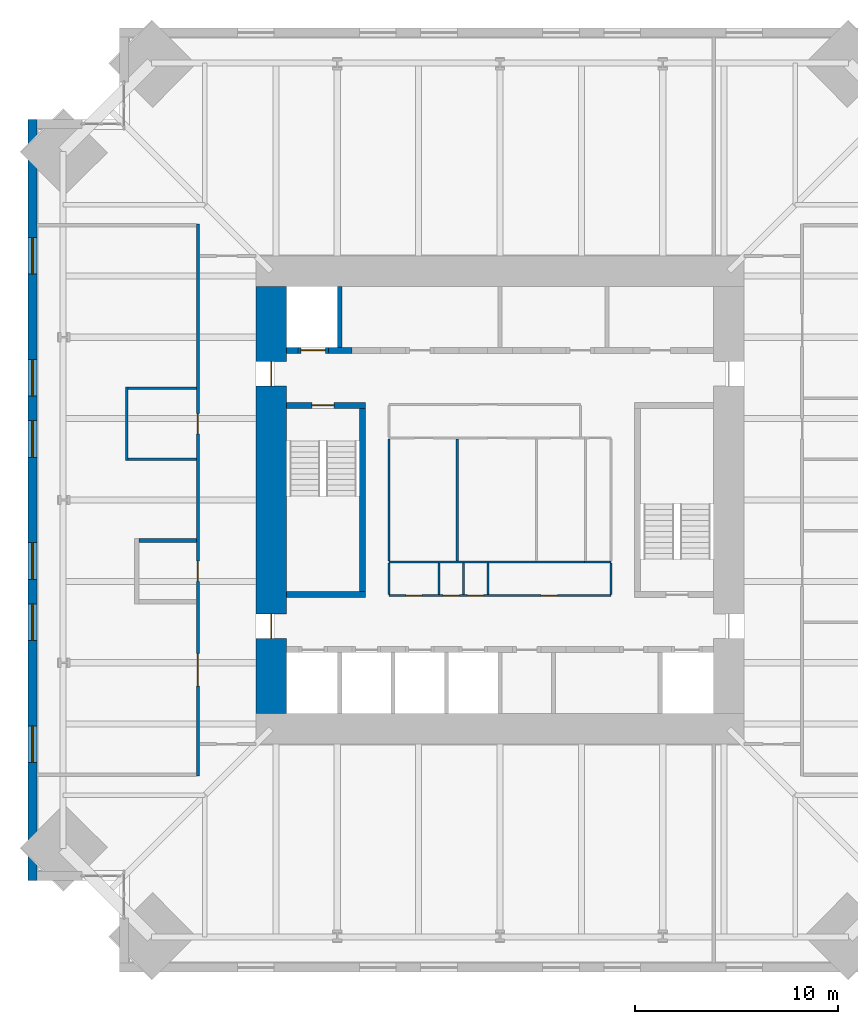
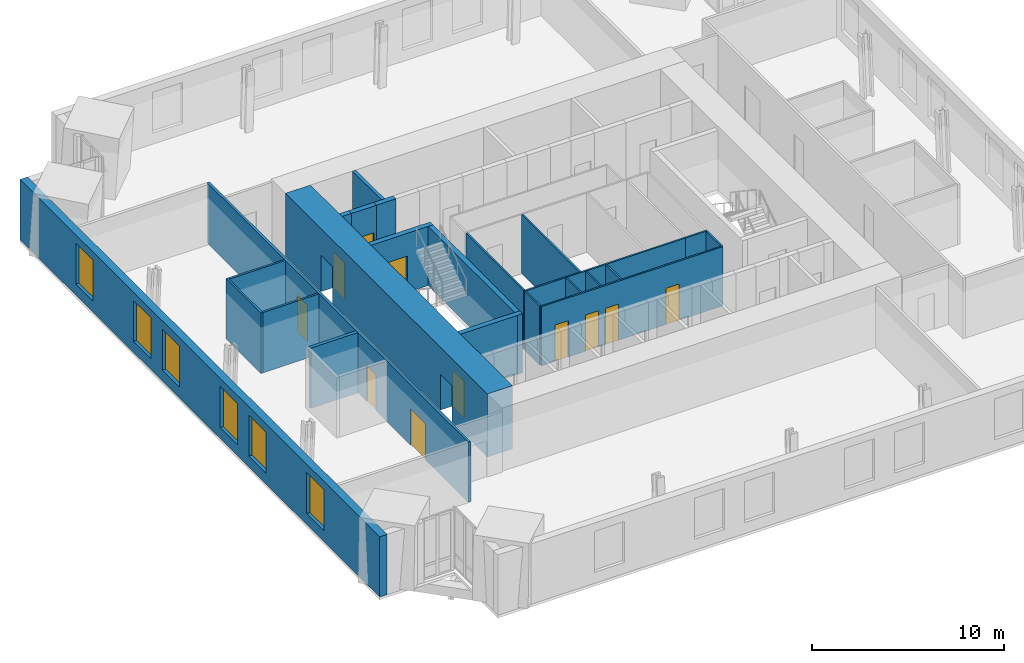
# One storey, part 11 of 15: 24 walls, 11 doors, 6 windows, 17 openings.
"""IFC4 building model written with IfcOpenShell, lengths in metres."""

from ifc_helpers import new_model, si_unit, direction, frame, frame_2d, origin, place, context, subcontext, project, spatial, rectangle, extrude, material, layer, layer_set, type_object, element, fill, save


model = new_model("IFC4")

# Units and contexts
model_context = context("Model", 3, precision=1e-05, world=origin(), true_north=direction((0.0, 1.0)))
body_context = subcontext(model_context, "Body", "Model", "MODEL_VIEW")
ifc_project = project(units=[si_unit("LENGTHUNIT", "METRE"), si_unit("AREAUNIT", "SQUARE_METRE"), si_unit("VOLUMEUNIT", "CUBIC_METRE"), si_unit("PLANEANGLEUNIT", "RADIAN"), si_unit("MASSUNIT", "GRAM", prefix="KILO")], contexts=[model_context])

# Site, building, storey
site_placement = place(None, origin())
site = spatial("IfcSite", under=ifc_project, at=site_placement, CompositionType="ELEMENT")
building_placement = place(site_placement, origin())
building = spatial("IfcBuilding", under=site, at=building_placement, Name="Peilmerk Tower", CompositionType="ELEMENT")
storey_placement = place(building_placement, frame((0.0, 0.0, 233.800048828125)))
storey = spatial("IfcBuildingStorey", under=building, at=storey_placement, Name="L51", CompositionType="ELEMENT", Elevation=233.800048828125)

# Wall, openings, windows
ifc_material_1 = material(Name="Precast concrete C45/55, board-marked finish", Category="concrete")
ifc_layer_1 = layer(ifc_material_1, 0.449951171875)
ifc_layer_set_1 = layer_set([ifc_layer_1], Name="Precast concrete C45/55, board-marked finish")
wall_type_1 = type_object("IfcWallType", Name="EW1 450 precast concrete facade wall, board-marked", PredefinedType="SOLIDWALL", material=ifc_layer_set_1)
wall_1_placement = place(storey_placement, frame((-22.97509765625, 18.699951171875, 0.0), z_axis=(0.0, 0.0, 1.0), x_axis=(0.0, -1.0, 0.0)))
wall_1 = element("IfcWall", 1, at=wall_1_placement, inside=storey, type_object=wall_type_1, Name="Facade wall W L51", PredefinedType="SOLIDWALL", context=body_context, shape_type="SweptSolid", body=[
    extrude(rectangle(XDim=37.39990234375, YDim=0.449951171875, at=frame_2d((18.699951171875, 0.0))), origin(), (0.0, 0.0, 1.0), 3.829833984375),
])
opening_1_placement = place(wall_1_placement, frame((5.800048828125, 0.0, 0.699951171875)))
opening_1 = element("IfcOpeningElement", 2, at=opening_1_placement, cuts=wall_1, Name="Opening W1", PredefinedType="OPENING", context=body_context, shape_type="SweptSolid", body=[
    extrude(rectangle(XDim=1.800048828125, YDim=2.60009765625, at=frame_2d((0.89990234375, 1.300048828125))), frame((0.0, 0.23486328125, 0.0), z_axis=(0.0, -1.0, 0.0), x_axis=(1.0, 0.0, 0.0)), (0.0, 0.0, 1.0), 0.469970703125),
])
opening_2_placement = place(wall_1_placement, frame((11.800048828125, 0.0, 0.699951171875)))
opening_2 = element("IfcOpeningElement", 3, at=opening_2_placement, cuts=wall_1, Name="Opening W1", PredefinedType="OPENING", context=body_context, shape_type="SweptSolid", body=[
    extrude(rectangle(XDim=1.800048828125, YDim=2.60009765625, at=frame_2d((0.89990234375, 1.300048828125))), frame((0.0, 0.23486328125, 0.0), z_axis=(0.0, -1.0, 0.0), x_axis=(1.0, 0.0, 0.0)), (0.0, 0.0, 1.0), 0.469970703125),
])
opening_3_placement = place(wall_1_placement, frame((14.800048828125, 0.0, 0.699951171875)))
opening_3 = element("IfcOpeningElement", 4, at=opening_3_placement, cuts=wall_1, Name="Opening W1", PredefinedType="OPENING", context=body_context, shape_type="SweptSolid", body=[
    extrude(rectangle(XDim=1.800048828125, YDim=2.60009765625, at=frame_2d((0.89990234375, 1.300048828125))), frame((0.0, 0.23486328125, 0.0), z_axis=(0.0, -1.0, 0.0), x_axis=(1.0, 0.0, 0.0)), (0.0, 0.0, 1.0), 0.469970703125),
])
opening_4_placement = place(wall_1_placement, frame((20.800048828125, 0.0, 0.699951171875)))
opening_4 = element("IfcOpeningElement", 5, at=opening_4_placement, cuts=wall_1, Name="Opening W1", PredefinedType="OPENING", context=body_context, shape_type="SweptSolid", body=[
    extrude(rectangle(XDim=1.800048828125, YDim=2.60009765625, at=frame_2d((0.89990234375, 1.300048828125))), frame((0.0, 0.23486328125, 0.0), z_axis=(0.0, -1.0, 0.0), x_axis=(1.0, 0.0, 0.0)), (0.0, 0.0, 1.0), 0.469970703125),
])
opening_5_placement = place(wall_1_placement, frame((23.800048828125, 0.0, 0.699951171875)))
opening_5 = element("IfcOpeningElement", 6, at=opening_5_placement, cuts=wall_1, Name="Opening W1", PredefinedType="OPENING", context=body_context, shape_type="SweptSolid", body=[
    extrude(rectangle(XDim=1.800048828125, YDim=2.60009765625, at=frame_2d((0.89990234375, 1.300048828125))), frame((0.0, 0.23486328125, 0.0), z_axis=(0.0, -1.0, 0.0), x_axis=(1.0, 0.0, 0.0)), (0.0, 0.0, 1.0), 0.469970703125),
])
opening_6_placement = place(wall_1_placement, frame((29.800048828125, 0.0, 0.699951171875)))
opening_6 = element("IfcOpeningElement", 7, at=opening_6_placement, cuts=wall_1, Name="Opening W1", PredefinedType="OPENING", context=body_context, shape_type="SweptSolid", body=[
    extrude(rectangle(XDim=1.800048828125, YDim=2.60009765625, at=frame_2d((0.89990234375, 1.300048828125))), frame((0.0, 0.23486328125, 0.0), z_axis=(0.0, -1.0, 0.0), x_axis=(1.0, 0.0, 0.0)), (0.0, 0.0, 1.0), 0.469970703125),
])
ifc_material_2 = material(Name="Aluminium frame, clear double glazing", Category="aluminium")
window_type = type_object("IfcWindowType", Name="W1 1800x2600 office window", PartitioningType="SINGLE_PANEL", PredefinedType="WINDOW", material=ifc_material_2)
window_1_placement = place(opening_1_placement, origin())
window_1 = element("IfcWindow", 8, at=window_1_placement, inside=storey, type_object=window_type, Name="Window W1 L51", OverallHeight=2.60009765625, OverallWidth=1.800048828125, PartitioningType="SINGLE_PANEL", PredefinedType="WINDOW", context=body_context, shape_type="SweptSolid", body=[
    extrude(rectangle(XDim=1.800048828125, YDim=2.60009765625, at=frame_2d((0.89990234375, 1.300048828125))), frame((0.0, 0.030029296875, 0.0), z_axis=(0.0, -1.0, 0.0), x_axis=(1.0, 0.0, 0.0)), (0.0, 0.0, 1.0), 0.06005859375),
])
fill(opening_1, window_1)
window_2_placement = place(opening_2_placement, origin())
window_2 = element("IfcWindow", 9, at=window_2_placement, inside=storey, type_object=window_type, Name="Window W1 L51", OverallHeight=2.60009765625, OverallWidth=1.800048828125, PartitioningType="SINGLE_PANEL", PredefinedType="WINDOW", context=body_context, shape_type="SweptSolid", body=[
    extrude(rectangle(XDim=1.800048828125, YDim=2.60009765625, at=frame_2d((0.89990234375, 1.300048828125))), frame((0.0, 0.030029296875, 0.0), z_axis=(0.0, -1.0, 0.0), x_axis=(1.0, 0.0, 0.0)), (0.0, 0.0, 1.0), 0.06005859375),
])
fill(opening_2, window_2)
window_3_placement = place(opening_3_placement, origin())
window_3 = element("IfcWindow", 10, at=window_3_placement, inside=storey, type_object=window_type, Name="Window W1 L51", OverallHeight=2.60009765625, OverallWidth=1.800048828125, PartitioningType="SINGLE_PANEL", PredefinedType="WINDOW", context=body_context, shape_type="SweptSolid", body=[
    extrude(rectangle(XDim=1.800048828125, YDim=2.60009765625, at=frame_2d((0.89990234375, 1.300048828125))), frame((0.0, 0.030029296875, 0.0), z_axis=(0.0, -1.0, 0.0), x_axis=(1.0, 0.0, 0.0)), (0.0, 0.0, 1.0), 0.06005859375),
])
fill(opening_3, window_3)
window_4_placement = place(opening_4_placement, origin())
window_4 = element("IfcWindow", 11, at=window_4_placement, inside=storey, type_object=window_type, Name="Window W1 L51", OverallHeight=2.60009765625, OverallWidth=1.800048828125, PartitioningType="SINGLE_PANEL", PredefinedType="WINDOW", context=body_context, shape_type="SweptSolid", body=[
    extrude(rectangle(XDim=1.800048828125, YDim=2.60009765625, at=frame_2d((0.89990234375, 1.300048828125))), frame((0.0, 0.030029296875, 0.0), z_axis=(0.0, -1.0, 0.0), x_axis=(1.0, 0.0, 0.0)), (0.0, 0.0, 1.0), 0.06005859375),
])
fill(opening_4, window_4)
window_5_placement = place(opening_5_placement, origin())
window_5 = element("IfcWindow", 12, at=window_5_placement, inside=storey, type_object=window_type, Name="Window W1 L51", OverallHeight=2.60009765625, OverallWidth=1.800048828125, PartitioningType="SINGLE_PANEL", PredefinedType="WINDOW", context=body_context, shape_type="SweptSolid", body=[
    extrude(rectangle(XDim=1.800048828125, YDim=2.60009765625, at=frame_2d((0.89990234375, 1.300048828125))), frame((0.0, 0.030029296875, 0.0), z_axis=(0.0, -1.0, 0.0), x_axis=(1.0, 0.0, 0.0)), (0.0, 0.0, 1.0), 0.06005859375),
])
fill(opening_5, window_5)
window_6_placement = place(opening_6_placement, origin())
window_6 = element("IfcWindow", 13, at=window_6_placement, inside=storey, type_object=window_type, Name="Window W1 L51", OverallHeight=2.60009765625, OverallWidth=1.800048828125, PartitioningType="SINGLE_PANEL", PredefinedType="WINDOW", context=body_context, shape_type="SweptSolid", body=[
    extrude(rectangle(XDim=1.800048828125, YDim=2.60009765625, at=frame_2d((0.89990234375, 1.300048828125))), frame((0.0, 0.030029296875, 0.0), z_axis=(0.0, -1.0, 0.0), x_axis=(1.0, 0.0, 0.0)), (0.0, 0.0, 1.0), 0.06005859375),
])
fill(opening_6, window_6)

# Wall, openings, doors
ifc_material_3 = material(Name="Calcium silicate block", Category="masonry")
ifc_layer_2 = layer(ifc_material_3, 0.14990234375)
ifc_layer_set_2 = layer_set([ifc_layer_2], Name="Calcium silicate block")
wall_type_2 = type_object("IfcWallType", Name="IW1 150 corridor partition, EI 60", PredefinedType="PARTITIONING", material=ifc_layer_set_2)
wall_2_placement = place(storey_placement, frame((-14.85009765625, 13.574951171875, 0.0), z_axis=(0.0, 0.0, 1.0), x_axis=(0.0, -1.0, 0.0)))
wall_2 = element("IfcWall", 14, at=wall_2_placement, inside=storey, type_object=wall_type_2, Name="Corridor wall W L51", PredefinedType="PARTITIONING", context=body_context, shape_type="SweptSolid", body=[
    extrude(rectangle(XDim=27.14990234375, YDim=0.14990234375, at=frame_2d((13.574951171875, 0.0))), origin(), (0.0, 0.0, 1.0), 3.829833984375),
])
opening_7_placement = place(wall_2_placement, frame((21.125, 0.0, 0.0)))
opening_7 = element("IfcOpeningElement", 15, at=opening_7_placement, cuts=wall_2, Name="Opening D9", PredefinedType="OPENING", context=body_context, shape_type="SweptSolid", body=[
    extrude(rectangle(XDim=1.60009765625, YDim=2.300048828125, at=frame_2d((0.800048828125, 1.14990234375))), frame((0.0, 0.0849609375, 0.0), z_axis=(0.0, -1.0, 0.0), x_axis=(1.0, 0.0, 0.0)), (0.0, 0.0, 1.0), 0.169921875),
])
opening_8_placement = place(wall_2_placement, frame((16.574951171875, 0.0, 0.0)))
opening_8 = element("IfcOpeningElement", 16, at=opening_8_placement, cuts=wall_2, Name="Opening D1", PredefinedType="OPENING", context=body_context, shape_type="SweptSolid", body=[
    extrude(rectangle(XDim=1.0, YDim=2.300048828125, at=frame_2d((0.5, 1.14990234375))), frame((0.0, 0.0849609375, 0.0), z_axis=(0.0, -1.0, 0.0), x_axis=(1.0, 0.0, 0.0)), (0.0, 0.0, 1.0), 0.169921875),
])
opening_9_placement = place(wall_2_placement, frame((9.324951171875, 0.0, 0.0)))
opening_9 = element("IfcOpeningElement", 17, at=opening_9_placement, cuts=wall_2, Name="Opening D1", PredefinedType="OPENING", context=body_context, shape_type="SweptSolid", body=[
    extrude(rectangle(XDim=1.0, YDim=2.300048828125, at=frame_2d((0.5, 1.14990234375))), frame((0.0, 0.0849609375, 0.0), z_axis=(0.0, -1.0, 0.0), x_axis=(1.0, 0.0, 0.0)), (0.0, 0.0, 1.0), 0.169921875),
])
ifc_material_4 = material(Name="Timber door in steel frame", Category="steel")
door_type_1 = type_object("IfcDoorType", Name="D1 1000x2300 room door, EI2 30", OperationType="SINGLE_SWING_LEFT", PredefinedType="DOOR", material=ifc_material_4)
door_1_placement = place(opening_8_placement, frame((1.0, 0.0, 0.0), z_axis=(0.0, 0.0, 1.0), x_axis=(-1.0, 0.0, 0.0)))
door_1 = element("IfcDoor", 18, at=door_1_placement, inside=storey, type_object=door_type_1, Name="Door Print room L51", OperationType="SINGLE_SWING_LEFT", OverallHeight=2.300048828125, OverallWidth=1.0, PredefinedType="DOOR", context=body_context, shape_type="SweptSolid", body=[
    extrude(rectangle(XDim=1.0, YDim=2.300048828125, at=frame_2d((0.5, 1.14990234375))), frame((0.0, 0.02490234375, 0.0), z_axis=(0.0, -1.0, 0.0), x_axis=(1.0, 0.0, 0.0)), (0.0, 0.0, 1.0), 0.050048828125),
])
fill(opening_8, door_1)
door_2_placement = place(opening_9_placement, frame((1.0, 0.0, 0.0), z_axis=(0.0, 0.0, 1.0), x_axis=(-1.0, 0.0, 0.0)))
door_2 = element("IfcDoor", 19, at=door_2_placement, inside=storey, type_object=door_type_1, Name="Door Pantry L51", OperationType="SINGLE_SWING_LEFT", OverallHeight=2.300048828125, OverallWidth=1.0, PredefinedType="DOOR", context=body_context, shape_type="SweptSolid", body=[
    extrude(rectangle(XDim=1.0, YDim=2.300048828125, at=frame_2d((0.5, 1.14990234375))), frame((0.0, 0.02490234375, 0.0), z_axis=(0.0, -1.0, 0.0), x_axis=(1.0, 0.0, 0.0)), (0.0, 0.0, 1.0), 0.050048828125),
])
fill(opening_9, door_2)
ifc_material_5 = material(Name="Glazed timber door in steel frame", Category="steel")
door_type_2 = type_object("IfcDoorType", Name="D9 1600x2300 glazed double door, EI2 30", OperationType="DOUBLE_DOOR_SINGLE_SWING", PredefinedType="DOOR", material=ifc_material_5)
door_3_placement = place(opening_7_placement, frame((1.60009765625, 0.0, 0.0), z_axis=(0.0, 0.0, 1.0), x_axis=(-1.0, 0.0, 0.0)))
door_3 = element("IfcDoor", 20, at=door_3_placement, inside=storey, type_object=door_type_2, Name="Door Open workspace L51", OperationType="DOUBLE_DOOR_SINGLE_SWING", OverallHeight=2.300048828125, OverallWidth=1.60009765625, PredefinedType="DOOR", context=body_context, shape_type="SweptSolid", body=[
    extrude(rectangle(XDim=1.60009765625, YDim=2.300048828125, at=frame_2d((0.800048828125, 1.14990234375))), frame((0.0, 0.02490234375, 0.0), z_axis=(0.0, -1.0, 0.0), x_axis=(1.0, 0.0, 0.0)), (0.0, 0.0, 1.0), 0.050048828125),
])
fill(opening_7, door_3)

# Walls
ifc_layer_3 = layer(ifc_material_3, 0.199951171875)
ifc_layer_set_3 = layer_set([ifc_layer_3], Name="Calcium silicate block")
wall_type_3 = type_object("IfcWallType", Name="IW2 200 room separating wall, EI 120", PredefinedType="PARTITIONING", material=ifc_layer_set_3)
wall_3_placement = place(storey_placement, frame((-14.925048828125, -2.0, 0.0), z_axis=(0.0, 0.0, 1.0), x_axis=(-1.0, 0.0, 0.0)))
element("IfcWall", 21, at=wall_3_placement, inside=storey, type_object=wall_type_3, Name="Room separating wall Print room L51", PredefinedType="PARTITIONING", context=body_context, shape_type="SweptSolid", body=[
    extrude(rectangle(XDim=2.824951171875, YDim=0.199951171875, at=frame_2d((1.41259765625, 0.0))), origin(), (0.0, 0.0, 1.0), 3.829833984375),
])
ifc_material_6 = material(Name="Concrete C35/45", Category="concrete")
ifc_layer_4 = layer(ifc_material_6, 0.300048828125)
ifc_layer_set_4 = layer_set([ifc_layer_4], Name="Concrete C35/45")
wall_type_4 = type_object("IfcWallType", Name="IW3 300 concrete stair enclosure wall, EI 120", PredefinedType="SOLIDWALL", material=ifc_layer_set_4)
wall_4_placement = place(storey_placement, frame((-6.75, -4.800048828125, 0.0), z_axis=(0.0, 0.0, 1.0), x_axis=(0.0, 1.0, 0.0)))
element("IfcWall", 22, at=wall_4_placement, inside=storey, type_object=wall_type_4, Name="Stair 1 enclosure L51", PredefinedType="SOLIDWALL", context=body_context, shape_type="SweptSolid", body=[
    extrude(rectangle(XDim=9.60009765625, YDim=0.300048828125, at=frame_2d((4.800048828125, 0.0))), origin(), (0.0, 0.0, 1.0), 3.75),
])

# Wall, opening, door
wall_5_placement = place(storey_placement, frame((-10.5, 4.64990234375, 0.0), z_axis=(0.0, 0.0, 1.0), x_axis=(1.0, 0.0, 0.0)))
wall_5 = element("IfcWall", 23, at=wall_5_placement, inside=storey, type_object=wall_type_4, Name="Stair 1 enclosure L51", PredefinedType="SOLIDWALL", context=body_context, shape_type="SweptSolid", body=[
    extrude(rectangle(XDim=3.89990234375, YDim=0.300048828125, at=frame_2d((1.949951171875, 0.0))), origin(), (0.0, 0.0, 1.0), 3.75),
])
opening_10_placement = place(wall_5_placement, frame((1.25, 0.0, 0.0)))
opening_10 = element("IfcOpeningElement", 24, at=opening_10_placement, cuts=wall_5, Name="Opening D4", PredefinedType="OPENING", context=body_context, shape_type="SweptSolid", body=[
    extrude(rectangle(XDim=1.10009765625, YDim=2.300048828125, at=frame_2d((0.550048828125, 1.14990234375))), frame((0.0, 0.159912109375, 0.0), z_axis=(0.0, -1.0, 0.0), x_axis=(1.0, 0.0, 0.0)), (0.0, 0.0, 1.0), 0.320068359375),
])
ifc_material_7 = material(Name="Steel door in steel frame", Category="steel")
door_type_3 = type_object("IfcDoorType", Name="D4 1100x2300 stair door, EI2 60", OperationType="SINGLE_SWING_RIGHT", PredefinedType="DOOR", material=ifc_material_7)
door_4_placement = place(opening_10_placement, frame((1.10009765625, 0.0, 0.0), z_axis=(0.0, 0.0, 1.0), x_axis=(-1.0, 0.0, 0.0)))
door_4 = element("IfcDoor", 25, at=door_4_placement, inside=storey, type_object=door_type_3, Name="Stair 1 door L51", OperationType="SINGLE_SWING_RIGHT", OverallHeight=2.300048828125, OverallWidth=1.10009765625, PredefinedType="DOOR", context=body_context, shape_type="SweptSolid", body=[
    extrude(rectangle(XDim=1.10009765625, YDim=2.300048828125, at=frame_2d((0.550048828125, 1.14990234375))), frame((0.0, 0.02490234375, 0.0), z_axis=(0.0, -1.0, 0.0), x_axis=(1.0, 0.0, 0.0)), (0.0, 0.0, 1.0), 0.050048828125),
])
fill(opening_10, door_4)

# Walls
wall_6_placement = place(storey_placement, frame((-6.60009765625, -4.64990234375, 0.0), z_axis=(0.0, 0.0, 1.0), x_axis=(-1.0, 0.0, 0.0)))
element("IfcWall", 26, at=wall_6_placement, inside=storey, type_object=wall_type_4, Name="Stair 1 enclosure L51", PredefinedType="SOLIDWALL", context=body_context, shape_type="SweptSolid", body=[
    extrude(rectangle(XDim=3.89990234375, YDim=0.300048828125, at=frame_2d((1.949951171875, 0.0))), origin(), (0.0, 0.0, 1.0), 3.75),
])
ifc_material_8 = material(Name="Plasterboard on steel studs", Category="steel")
ifc_layer_5 = layer(ifc_material_8, 0.10009765625)
ifc_layer_set_5 = layer_set([ifc_layer_5], Name="Plasterboard on steel studs")
wall_type_5 = type_object("IfcWallType", Name="IW4 100 WC partition", PredefinedType="PARTITIONING", material=ifc_layer_set_5)
wall_7_placement = place(storey_placement, frame((4.14990234375, -3.050048828125, 0.0), z_axis=(0.0, 0.0, 1.0), x_axis=(-1.0, 0.0, 0.0)))
element("IfcWall", 27, at=wall_7_placement, inside=storey, type_object=wall_type_5, Name="WC wall L51", PredefinedType="PARTITIONING", context=body_context, shape_type="SweptSolid", body=[
    extrude(rectangle(XDim=9.599853515625, YDim=0.10009765625, at=frame_2d((4.7998046875, 0.0))), origin(), (0.0, 0.0, 1.0), 3.75),
])
for number, where, z_axis, x_axis, name in (
    (28, (-5.449951171875, -3.0, 0.0), (0.0, 0.0, 1.0), (0.0, 1.0, 0.0), "WC wall L51"),
    (29, (-2.10009765625, -3.0, 0.0), (0.0, 0.0, 1.0), (0.0, 1.0, 0.0), "WC wall L51"),
):
    element("IfcWall", number, at=place(storey_placement, frame(where, z_axis=z_axis, x_axis=x_axis)), inside=storey, type_object=wall_type_5, Name=name, PredefinedType="PARTITIONING", context=body_context, shape_type="SweptSolid", body=[
        extrude(rectangle(XDim=6.0, YDim=0.10009765625, at=frame_2d((3.0, 0.0))), origin(), (0.0, 0.0, 1.0), 3.75),
    ])
ifc_material_9 = material(Name="Calcium silicate board on steel studs", Category="steel")
ifc_layer_6 = layer(ifc_material_9, 0.10009765625)
ifc_layer_set_6 = layer_set([ifc_layer_6], Name="Calcium silicate board on steel studs")
wall_type_6 = type_object("IfcWallType", Name="IW5 100 riser enclosure wall, EI 60", PredefinedType="PARTITIONING", material=ifc_layer_set_6)
wall_8_placement = place(storey_placement, frame((5.449951171875, -3.050048828125, 0.0), z_axis=(0.0, 0.0, 1.0), x_axis=(-1.0, 0.0, 0.0)))
element("IfcWall", 30, at=wall_8_placement, inside=storey, type_object=wall_type_6, Name="Riser wall L51", PredefinedType="PARTITIONING", context=body_context, shape_type="SweptSolid", body=[
    extrude(rectangle(XDim=1.300048828125, YDim=0.10009765625, at=frame_2d((0.64990234375, 0.0))), origin(), (0.0, 0.0, 1.0), 3.75),
])

# Wall, openings, doors
wall_9_placement = place(storey_placement, frame((5.449951171875, -4.699951171875, 0.0), z_axis=(0.0, 0.0, 1.0), x_axis=(-1.0, 0.0, 0.0)))
wall_9 = element("IfcWall", 31, at=wall_9_placement, inside=storey, type_object=wall_type_6, Name="Riser wall L51", PredefinedType="PARTITIONING", context=body_context, shape_type="SweptSolid", body=[
    extrude(rectangle(XDim=10.89990234375, YDim=0.10009765625, at=frame_2d((5.449951171875, 0.0))), origin(), (0.0, 0.0, 1.0), 3.75),
])
opening_11_placement = place(wall_9_placement, frame((9.27490234375, 0.0, 0.0)))
opening_11 = element("IfcOpeningElement", 32, at=opening_11_placement, cuts=wall_9, Name="Opening D7", PredefinedType="OPENING", context=body_context, shape_type="SweptSolid", body=[
    extrude(rectangle(XDim=0.800048828125, YDim=2.300048828125, at=frame_2d((0.39990234375, 1.14990234375))), frame((0.0, 0.06005859375, 0.0), z_axis=(0.0, -1.0, 0.0), x_axis=(1.0, 0.0, 0.0)), (0.0, 0.0, 1.0), 0.1201171875),
])
opening_12_placement = place(wall_9_placement, frame((7.449951171875, 0.0, 0.0)))
opening_12 = element("IfcOpeningElement", 33, at=opening_12_placement, cuts=wall_9, Name="Opening D7", PredefinedType="OPENING", context=body_context, shape_type="SweptSolid", body=[
    extrude(rectangle(XDim=0.800048828125, YDim=2.300048828125, at=frame_2d((0.39990234375, 1.14990234375))), frame((0.0, 0.06005859375, 0.0), z_axis=(0.0, -1.0, 0.0), x_axis=(1.0, 0.0, 0.0)), (0.0, 0.0, 1.0), 0.1201171875),
])
opening_13_placement = place(wall_9_placement, frame((6.25, 0.0, 0.0)))
opening_13 = element("IfcOpeningElement", 34, at=opening_13_placement, cuts=wall_9, Name="Opening D7", PredefinedType="OPENING", context=body_context, shape_type="SweptSolid", body=[
    extrude(rectangle(XDim=0.800048828125, YDim=2.300048828125, at=frame_2d((0.39990234375, 1.14990234375))), frame((0.0, 0.06005859375, 0.0), z_axis=(0.0, -1.0, 0.0), x_axis=(1.0, 0.0, 0.0)), (0.0, 0.0, 1.0), 0.1201171875),
])
opening_14_placement = place(wall_9_placement, frame((2.625, 0.0, 0.0)))
opening_14 = element("IfcOpeningElement", 35, at=opening_14_placement, cuts=wall_9, Name="Opening D7", PredefinedType="OPENING", context=body_context, shape_type="SweptSolid", body=[
    extrude(rectangle(XDim=0.800048828125, YDim=2.300048828125, at=frame_2d((0.39990234375, 1.14990234375))), frame((0.0, 0.06005859375, 0.0), z_axis=(0.0, -1.0, 0.0), x_axis=(1.0, 0.0, 0.0)), (0.0, 0.0, 1.0), 0.1201171875),
])
door_type_4 = type_object("IfcDoorType", Name="D7 800x2300 riser access door, EI2 60", OperationType="SINGLE_SWING_RIGHT", PredefinedType="DOOR", material=ifc_material_7)
door_5_placement = place(opening_11_placement, frame((0.800048828125, 0.0, 0.0), z_axis=(0.0, 0.0, 1.0), x_axis=(-1.0, 0.0, 0.0)))
door_5 = element("IfcDoor", 36, at=door_5_placement, inside=storey, type_object=door_type_4, Name="Cleaner's cupboard door L51", OperationType="SINGLE_SWING_RIGHT", OverallHeight=2.300048828125, OverallWidth=0.800048828125, PredefinedType="DOOR", context=body_context, shape_type="SweptSolid", body=[
    extrude(rectangle(XDim=0.800048828125, YDim=2.300048828125, at=frame_2d((0.39990234375, 1.14990234375))), frame((0.0, 0.02490234375, 0.0), z_axis=(0.0, -1.0, 0.0), x_axis=(1.0, 0.0, 0.0)), (0.0, 0.0, 1.0), 0.050048828125),
])
fill(opening_11, door_5)
door_6_placement = place(opening_12_placement, frame((0.800048828125, 0.0, 0.0), z_axis=(0.0, 0.0, 1.0), x_axis=(-1.0, 0.0, 0.0)))
door_6 = element("IfcDoor", 37, at=door_6_placement, inside=storey, type_object=door_type_4, Name="Electrical riser door L51", OperationType="SINGLE_SWING_RIGHT", OverallHeight=2.300048828125, OverallWidth=0.800048828125, PredefinedType="DOOR", context=body_context, shape_type="SweptSolid", body=[
    extrude(rectangle(XDim=0.800048828125, YDim=2.300048828125, at=frame_2d((0.39990234375, 1.14990234375))), frame((0.0, 0.02490234375, 0.0), z_axis=(0.0, -1.0, 0.0), x_axis=(1.0, 0.0, 0.0)), (0.0, 0.0, 1.0), 0.050048828125),
])
fill(opening_12, door_6)
door_7_placement = place(opening_13_placement, frame((0.800048828125, 0.0, 0.0), z_axis=(0.0, 0.0, 1.0), x_axis=(-1.0, 0.0, 0.0)))
door_7 = element("IfcDoor", 38, at=door_7_placement, inside=storey, type_object=door_type_4, Name="Data riser door L51", OperationType="SINGLE_SWING_RIGHT", OverallHeight=2.300048828125, OverallWidth=0.800048828125, PredefinedType="DOOR", context=body_context, shape_type="SweptSolid", body=[
    extrude(rectangle(XDim=0.800048828125, YDim=2.300048828125, at=frame_2d((0.39990234375, 1.14990234375))), frame((0.0, 0.02490234375, 0.0), z_axis=(0.0, -1.0, 0.0), x_axis=(1.0, 0.0, 0.0)), (0.0, 0.0, 1.0), 0.050048828125),
])
fill(opening_13, door_7)
door_8_placement = place(opening_14_placement, frame((0.800048828125, 0.0, 0.0), z_axis=(0.0, 0.0, 1.0), x_axis=(-1.0, 0.0, 0.0)))
door_8 = element("IfcDoor", 39, at=door_8_placement, inside=storey, type_object=door_type_4, Name="Comms room door L51", OperationType="SINGLE_SWING_RIGHT", OverallHeight=2.300048828125, OverallWidth=0.800048828125, PredefinedType="DOOR", context=body_context, shape_type="SweptSolid", body=[
    extrude(rectangle(XDim=0.800048828125, YDim=2.300048828125, at=frame_2d((0.39990234375, 1.14990234375))), frame((0.0, 0.02490234375, 0.0), z_axis=(0.0, -1.0, 0.0), x_axis=(1.0, 0.0, 0.0)), (0.0, 0.0, 1.0), 0.050048828125),
])
fill(opening_14, door_8)

# Walls
for number, where, z_axis, x_axis, name in (
    (40, (-5.449951171875, -3.10009765625, 0.0), (0.0, 0.0, 1.0), (0.0, -1.0, 0.0), "Riser wall L51"),
    (41, (5.449951171875, -3.10009765625, 0.0), (0.0, 0.0, 1.0), (0.0, -1.0, 0.0), "Riser wall L51"),
    (42, (-3.0, -3.10009765625, 0.0), (0.0, 0.0, 1.0), (0.0, -1.0, 0.0), "Riser wall L51"),
    (43, (-1.800048828125, -3.10009765625, 0.0), (0.0, 0.0, 1.0), (0.0, -1.0, 0.0), "Riser wall L51"),
    (44, (-0.60009765625, -3.10009765625, 0.0), (0.0, 0.0, 1.0), (0.0, -1.0, 0.0), "Riser wall L51"),
):
    element("IfcWall", number, at=place(storey_placement, frame(where, z_axis=z_axis, x_axis=x_axis)), inside=storey, type_object=wall_type_6, Name=name, PredefinedType="PARTITIONING", context=body_context, shape_type="SweptSolid", body=[
        extrude(rectangle(XDim=1.5498046875, YDim=0.10009765625, at=frame_2d((0.77490234375, 0.0))), origin(), (0.0, 0.0, 1.0), 3.75),
    ])
ifc_material_10 = material(Name="Plasterboard on steel studs, double boarded with mineral wool", Category="steel")
ifc_layer_7 = layer(ifc_material_10, 0.125)
ifc_layer_set_7 = layer_set([ifc_layer_7], Name="Plasterboard on steel studs, double boarded with mineral wool")
wall_type_7 = type_object("IfcWallType", Name="IW7 125 acoustic partition, EI 30", PredefinedType="PARTITIONING", material=ifc_layer_set_7)
wall_10_placement = place(storey_placement, frame((-18.35009765625, 1.9375, 0.0), z_axis=(0.0, 0.0, 1.0), x_axis=(0.0, 1.0, 0.0)))
element("IfcWall", 45, at=wall_10_placement, inside=storey, type_object=wall_type_7, Name="Acoustic partition Pantry L51", PredefinedType="PARTITIONING", context=body_context, shape_type="SweptSolid", body=[
    extrude(rectangle(XDim=3.625, YDim=0.125, at=frame_2d((1.8125, 0.0))), origin(), (0.0, 0.0, 1.0), 3.829833984375),
])
for number, where, z_axis, x_axis, name in (
    (46, (-14.925048828125, 2.0, 0.0), (0.0, 0.0, 1.0), (-1.0, 0.0, 0.0), "Acoustic partition Pantry L51"),
    (47, (-14.925048828125, 5.5, 0.0), (0.0, 0.0, 1.0), (-1.0, 0.0, 0.0), "Acoustic partition Pantry L51"),
):
    element("IfcWall", number, at=place(storey_placement, frame(where, z_axis=z_axis, x_axis=x_axis)), inside=storey, type_object=wall_type_7, Name=name, PredefinedType="PARTITIONING", context=body_context, shape_type="SweptSolid", body=[
        extrude(rectangle(XDim=3.362548828125, YDim=0.125, at=frame_2d((1.68115234375, 0.0))), origin(), (0.0, 0.0, 1.0), 3.829833984375),
    ])
ifc_layer_8 = layer(ifc_material_3, 0.199951171875)
ifc_layer_set_8 = layer_set([ifc_layer_8], Name="Calcium silicate block")
wall_type_8 = type_object("IfcWallType", Name="SH1 200 shaft dividing wall, EI 120", PredefinedType="PARTITIONING", material=ifc_layer_set_8)
wall_11_placement = place(storey_placement, frame((-7.875, 7.5, 0.0), z_axis=(0.0, 0.0, 1.0), x_axis=(0.0, 1.0, 0.0)))
element("IfcWall", 48, at=wall_11_placement, inside=storey, type_object=wall_type_8, Name="Shaft wall N FL1 L51", PredefinedType="PARTITIONING", context=body_context, shape_type="SweptSolid", body=[
    extrude(rectangle(XDim=3.0, YDim=0.199951171875, at=frame_2d((1.5, 0.0))), origin(), (0.0, 0.0, 1.0), 4.0),
])

# Wall, opening, door
ifc_layer_9 = layer(ifc_material_3, 0.300048828125)
ifc_layer_set_9 = layer_set([ifc_layer_9], Name="Calcium silicate block")
wall_type_9 = type_object("IfcWallType", Name="SH2 300 lift landing door panel, EI 120", PredefinedType="PARTITIONING", material=ifc_layer_set_9)
wall_12_placement = place(storey_placement, frame((-9.9375, 7.35009765625, 0.0), z_axis=(0.0, 0.0, 1.0), x_axis=(1.0, 0.0, 0.0)))
wall_12 = element("IfcWall", 49, at=wall_12_placement, inside=storey, type_object=wall_type_9, Name="Lift door panel N FL1 L51", PredefinedType="PARTITIONING", context=body_context, shape_type="SweptSolid", body=[
    extrude(rectangle(XDim=1.5, YDim=0.300048828125, at=frame_2d((0.75, 0.0))), origin(), (0.0, 0.0, 1.0), 4.0),
])
opening_15_placement = place(wall_12_placement, frame((0.14990234375, 0.0, 0.0)))
opening_15 = element("IfcOpeningElement", 50, at=opening_15_placement, cuts=wall_12, Name="Opening LD2", PredefinedType="OPENING", context=body_context, shape_type="SweptSolid", body=[
    extrude(rectangle(XDim=1.199951171875, YDim=2.300048828125, at=frame_2d((0.60009765625, 1.14990234375))), frame((0.0, 0.159912109375, 0.0), z_axis=(0.0, -1.0, 0.0), x_axis=(1.0, 0.0, 0.0)), (0.0, 0.0, 1.0), 0.320068359375),
])
ifc_material_11 = material(Name="Stainless steel landing door", Category="steel")
door_type_5 = type_object("IfcDoorType", Name="LD2 1200x2300 lift landing door, sliding, EI2 60", OperationType="SLIDING_TO_LEFT", PredefinedType="DOOR", material=ifc_material_11)
door_9_placement = place(opening_15_placement, frame((1.199951171875, 0.0, 0.0), z_axis=(0.0, 0.0, 1.0), x_axis=(-1.0, 0.0, 0.0)))
door_9 = element("IfcDoor", 51, at=door_9_placement, inside=storey, type_object=door_type_5, Name="Lift landing door FL1 L51", OperationType="SLIDING_TO_LEFT", OverallHeight=2.300048828125, OverallWidth=1.199951171875, PredefinedType="DOOR", context=body_context, shape_type="SweptSolid", body=[
    extrude(rectangle(XDim=1.199951171875, YDim=2.300048828125, at=frame_2d((0.60009765625, 1.14990234375))), frame((0.0, 0.02490234375, 0.0), z_axis=(0.0, -1.0, 0.0), x_axis=(1.0, 0.0, 0.0)), (0.0, 0.0, 1.0), 0.050048828125),
])
fill(opening_15, door_9)

# Wall, openings, doors
ifc_material_12 = material(Name="Concrete C55/67", Category="concrete")
ifc_layer_10 = layer(ifc_material_12, 1.5)
ifc_layer_set_10 = layer_set([ifc_layer_10], Name="Concrete C55/67")
wall_type_10 = type_object("IfcWallType", Name="SW1 1500 core wall", PredefinedType="SHEAR", material=ifc_layer_set_10)
wall_13_placement = place(storey_placement, frame((-11.25, -10.5, 0.0), z_axis=(0.0, 0.0, 1.0), x_axis=(0.0, 1.0, 0.0)))
wall_13 = element("IfcWall", 52, at=wall_13_placement, inside=storey, type_object=wall_type_10, Name="Core wall W L51", PredefinedType="SHEAR", context=body_context, shape_type="SweptSolid", body=[
    extrude(rectangle(XDim=21.0, YDim=1.5, at=frame_2d((10.5, 0.0))), origin(), (0.0, 0.0, 1.0), 4.0),
])
opening_16_placement = place(wall_13_placement, frame((16.10009765625, 0.0, 0.0)))
opening_16 = element("IfcOpeningElement", 53, at=opening_16_placement, cuts=wall_13, Name="Opening D3", PredefinedType="OPENING", context=body_context, shape_type="SweptSolid", body=[
    extrude(rectangle(XDim=1.199951171875, YDim=2.300048828125, at=frame_2d((0.60009765625, 1.14990234375))), frame((0.0, 0.760009765625, 0.0), z_axis=(0.0, -1.0, 0.0), x_axis=(1.0, 0.0, 0.0)), (0.0, 0.0, 1.0), 1.52001953125),
])
opening_17_placement = place(wall_13_placement, frame((3.699951171875, 0.0, 0.0)))
opening_17 = element("IfcOpeningElement", 54, at=opening_17_placement, cuts=wall_13, Name="Opening D3", PredefinedType="OPENING", context=body_context, shape_type="SweptSolid", body=[
    extrude(rectangle(XDim=1.199951171875, YDim=2.300048828125, at=frame_2d((0.60009765625, 1.14990234375))), frame((0.0, 0.760009765625, 0.0), z_axis=(0.0, -1.0, 0.0), x_axis=(1.0, 0.0, 0.0)), (0.0, 0.0, 1.0), 1.52001953125),
])
door_type_6 = type_object("IfcDoorType", Name="D3 1200x2300 core door, EI2 60", OperationType="SINGLE_SWING_LEFT", PredefinedType="DOOR", material=ifc_material_7)
door_10_placement = place(opening_16_placement, frame((1.199951171875, 0.0, 0.0), z_axis=(0.0, 0.0, 1.0), x_axis=(-1.0, 0.0, 0.0)))
door_10 = element("IfcDoor", 55, at=door_10_placement, inside=storey, type_object=door_type_6, Name="Core door L51", OperationType="SINGLE_SWING_LEFT", OverallHeight=2.300048828125, OverallWidth=1.199951171875, PredefinedType="DOOR", context=body_context, shape_type="SweptSolid", body=[
    extrude(rectangle(XDim=1.199951171875, YDim=2.300048828125, at=frame_2d((0.60009765625, 1.14990234375))), frame((0.0, 0.02490234375, 0.0), z_axis=(0.0, -1.0, 0.0), x_axis=(1.0, 0.0, 0.0)), (0.0, 0.0, 1.0), 0.050048828125),
])
fill(opening_16, door_10)
door_11_placement = place(opening_17_placement, frame((1.199951171875, 0.0, 0.0), z_axis=(0.0, 0.0, 1.0), x_axis=(-1.0, 0.0, 0.0)))
door_11 = element("IfcDoor", 56, at=door_11_placement, inside=storey, type_object=door_type_6, Name="Core door L51", OperationType="SINGLE_SWING_LEFT", OverallHeight=2.300048828125, OverallWidth=1.199951171875, PredefinedType="DOOR", context=body_context, shape_type="SweptSolid", body=[
    extrude(rectangle(XDim=1.199951171875, YDim=2.300048828125, at=frame_2d((0.60009765625, 1.14990234375))), frame((0.0, 0.02490234375, 0.0), z_axis=(0.0, -1.0, 0.0), x_axis=(1.0, 0.0, 0.0)), (0.0, 0.0, 1.0), 0.050048828125),
])
fill(opening_17, door_11)

# Walls
ifc_layer_11 = layer(ifc_material_12, 0.300048828125)
ifc_layer_set_11 = layer_set([ifc_layer_11], Name="Concrete C55/67")
wall_type_11 = type_object("IfcWallType", Name="SW2 300 lift bank pier", PredefinedType="SHEAR", material=ifc_layer_set_11)
wall_14_placement = place(storey_placement, frame((-10.5, 7.35009765625, 0.0), z_axis=(0.0, 0.0, 1.0), x_axis=(1.0, 0.0, 0.0)))
element("IfcWall", 57, at=wall_14_placement, inside=storey, type_object=wall_type_11, Name="Lift bank pier N L51", PredefinedType="SHEAR", context=body_context, shape_type="SweptSolid", body=[
    extrude(rectangle(XDim=0.5625, YDim=0.300048828125, at=frame_2d((0.28125, 0.0))), origin(), (0.0, 0.0, 1.0), 4.0),
])
wall_15_placement = place(storey_placement, frame((-8.4375, 7.35009765625, 0.0), z_axis=(0.0, 0.0, 1.0), x_axis=(1.0, 0.0, 0.0)))
element("IfcWall", 58, at=wall_15_placement, inside=storey, type_object=wall_type_11, Name="Lift bank pier N L51", PredefinedType="SHEAR", context=body_context, shape_type="SweptSolid", body=[
    extrude(rectangle(XDim=1.175048828125, YDim=0.300048828125, at=frame_2d((0.58740234375, 0.0))), origin(), (0.0, 0.0, 1.0), 4.0),
])

save(model, "model.ifc")
